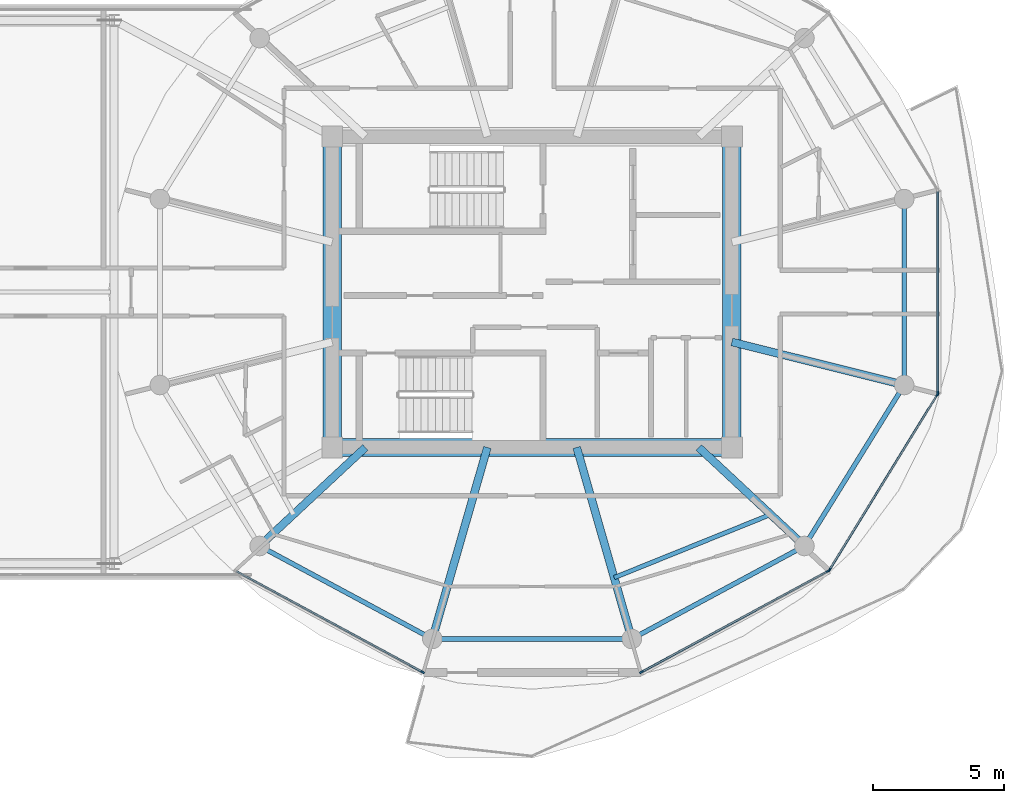
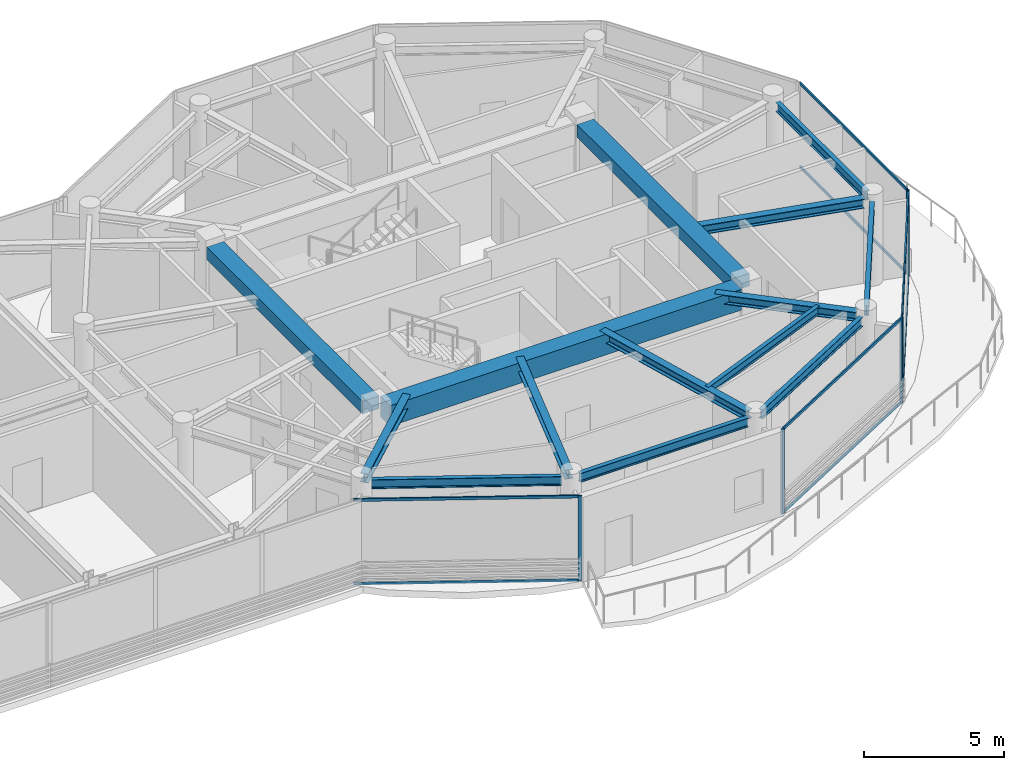
# One storey, part 9 of 24: 14 beams, 14 members, 4 elements without a shape of their own.
"""IFC4 building model written with IfcOpenShell, lengths in metres."""

import ifcopenshell
import ifcopenshell.guid

model = None  # the IFC model being written
_history = None  # IfcOwnerHistory: only IFC2X3 demands one
_inside = {}  # id of a spatial element -> (the spatial element, [elements in it])
_under = {}  # id of a project, library or spatial element -> (it, [spatial elements below it])
_declared = {}  # id of a project -> (the project, [libraries it declares])
_typed = {}  # id of a type object -> (the type object, [elements of that type])
_made_of = {}  # id of a material, layer set ... -> (it, [elements and type objects made of it])


def new_model(schema):
    """Start an empty IFC model of exactly this schema.

    Asked for "IFC4X3", IfcOpenShell would pick the latest addendum, in which some entities
    have other attributes; the version numbers below select the first issue.
    IFC2X3 requires an IfcOwnerHistory on every rooted entity: one is made here for all.
    """
    global model, _history
    if schema == "IFC4X3":
        model = ifcopenshell.file(schema_version=(4, 3, 0, 0))
    else:
        model = ifcopenshell.file(schema=schema)
    _inside.clear()
    _under.clear()
    _declared.clear()
    _typed.clear()
    _made_of.clear()
    _history = None
    if model.schema == "IFC2X3":
        org = make("IfcOrganization", Name="unknown")
        user = make(
            "IfcPersonAndOrganization",
            ThePerson=make("IfcPerson", FamilyName="unknown"),
            TheOrganization=org,
        )
        app = make(
            "IfcApplication",
            ApplicationDeveloper=org,
            Version="unknown",
            ApplicationFullName="unknown",
            ApplicationIdentifier="unknown",
        )
        _history = make(
            "IfcOwnerHistory",
            OwningUser=user,
            OwningApplication=app,
            ChangeAction="ADDED",
            CreationDate=0,
        )
    return model


def make(cls, **values):
    """One entity of the class cls with the attributes given. An attribute that is None is left unset."""
    return model.create_entity(
        cls, **{name: value for name, value in values.items() if value is not None}
    )


def rooted(cls, **values):
    """An entity with a GlobalId (a new one), such as an element, a storey or a relation."""
    return make(cls, GlobalId=ifcopenshell.guid.new(), OwnerHistory=_history, **values)


def si_unit(unit_type, name, prefix=None):
    """IfcSIUnit, for example si_unit("LENGTHUNIT", "METRE", prefix="MILLI")."""
    return make("IfcSIUnit", UnitType=unit_type, Prefix=prefix, Name=name)


def assignment(units):
    """IfcUnitAssignment: the units of a project."""
    return None if units is None else make("IfcUnitAssignment", Units=units)


def point(xyz):
    """IfcCartesianPoint."""
    return None if xyz is None else make("IfcCartesianPoint", Coordinates=xyz)


def direction(xyz):
    """IfcDirection."""
    return None if xyz is None else make("IfcDirection", DirectionRatios=xyz)


def frame(location, z_axis=None, x_axis=None):
    """IfcAxis2Placement3D, a coordinate frame: its origin and axes. An axis left out is left unset."""
    return make(
        "IfcAxis2Placement3D",
        Location=point(location),
        Axis=direction(z_axis),
        RefDirection=direction(x_axis),
    )


def frame_2d(location, x_axis=None):
    """IfcAxis2Placement2D, a coordinate frame in the plane: its origin and x axis."""
    return make(
        "IfcAxis2Placement2D", Location=point(location), RefDirection=direction(x_axis)
    )


def origin():
    """The frame at (0, 0, 0) with its axes left unset."""
    return frame((0.0, 0.0, 0.0))


def origin_2d():
    """The frame at (0, 0) in the plane with its x axis left unset."""
    return frame_2d((0.0, 0.0))


def place(relative_to, where):
    """IfcLocalPlacement: puts the frame where relative to a parent placement (None: the world)."""
    return make(
        "IfcLocalPlacement", PlacementRelTo=relative_to, RelativePlacement=where
    )


def context(
    kind, dimensions, precision=None, world=None, true_north=None, identifier=None
):
    """IfcGeometricRepresentationContext, for example the 3D "Model" context."""
    return make(
        "IfcGeometricRepresentationContext",
        ContextIdentifier=identifier,
        ContextType=kind,
        CoordinateSpaceDimension=dimensions,
        Precision=precision,
        WorldCoordinateSystem=world,
        TrueNorth=true_north,
    )


def subcontext(parent, identifier, kind, view, scale=None):
    """IfcGeometricRepresentationSubContext, for example "Body" below "Model"."""
    return make(
        "IfcGeometricRepresentationSubContext",
        ContextIdentifier=identifier,
        ContextType=kind,
        ParentContext=parent,
        TargetScale=scale,
        TargetView=view,
    )


def project(units=None, contexts=None):
    """IfcProject with its units and contexts."""
    return rooted(
        "IfcProject",
        Name="project",
        RepresentationContexts=contexts,
        UnitsInContext=assignment(units),
    )


def spatial(cls, under=None, at=None, **own):
    """A site, building, storey or space (cls), placed at a placement, below another one or the project."""
    s = rooted(cls, ObjectPlacement=at, **own)
    if under is not None:
        _under.setdefault(under.id(), (under, []))[1].append(s)
    return s


def profile(cls, at=None, kind="AREA", **sizes):
    """A parametric profile (cls). Its sizes go by their IFC names, for example OverallWidth=200.0."""
    return make(cls, ProfileType=kind, Position=at, **sizes)


def rectangle(**sizes):
    """IfcRectangleProfileDef."""
    return profile("IfcRectangleProfileDef", **sizes)


def i_section(**sizes):
    """IfcIShapeProfileDef."""
    return profile("IfcIShapeProfileDef", **sizes)


def extrude(swept, where, along, depth):
    """IfcExtrudedAreaSolid: the profile swept, set in the frame where, extruded along a direction by depth."""
    return make(
        "IfcExtrudedAreaSolid",
        SweptArea=swept,
        Position=where,
        ExtrudedDirection=direction(along),
        Depth=depth,
    )


def shape(context_of_items, identifier, shape_type, items):
    """IfcShapeRepresentation: the items that make up one representation, for example the "Body"."""
    return make(
        "IfcShapeRepresentation",
        ContextOfItems=context_of_items,
        RepresentationIdentifier=identifier,
        RepresentationType=shape_type,
        Items=items,
    )


def source(mapping_origin, context_of_items, identifier, shape_type, items):
    """IfcRepresentationMap: a shape defined once, which mapped items show again and again."""
    return make(
        "IfcRepresentationMap",
        MappingOrigin=mapping_origin,
        MappedRepresentation=shape(context_of_items, identifier, shape_type, items),
    )


def transform(
    local_origin,
    x_axis=None,
    y_axis=None,
    z_axis=None,
    scale=None,
    scale2=None,
    scale3=None,
    uniform=True,
):
    """IfcCartesianTransformationOperator3D, or its non-uniform kind. x_axis, y_axis, z_axis: its Axis1, 2, 3."""
    if uniform:
        return make(
            "IfcCartesianTransformationOperator3D",
            Axis1=direction(x_axis),
            Axis2=direction(y_axis),
            LocalOrigin=point(local_origin),
            Scale=scale,
            Axis3=direction(z_axis),
        )
    return make(
        "IfcCartesianTransformationOperator3DnonUniform",
        Axis1=direction(x_axis),
        Axis2=direction(y_axis),
        LocalOrigin=point(local_origin),
        Scale=scale,
        Axis3=direction(z_axis),
        Scale2=scale2,
        Scale3=scale3,
    )


def mapped(mapping_source, mapping_target):
    """IfcMappedItem: shows the shape of a source again, moved by a transform."""
    return make(
        "IfcMappedItem", MappingSource=mapping_source, MappingTarget=mapping_target
    )


def material(Name=None, Category=None):
    """IfcMaterial."""
    return make("IfcMaterial", Name=Name, Category=Category)


def layer(
    of_material, thickness, ventilated=None, Name=None, Category=None, Priority=None
):
    """IfcMaterialLayer: one layer of a wall or slab, of a material (None: an air gap)."""
    return make(
        "IfcMaterialLayer",
        Material=of_material,
        LayerThickness=thickness,
        IsVentilated=ventilated,
        Name=Name,
        Category=Category,
        Priority=Priority,
    )


def layer_set(layers, Name=None):
    """IfcMaterialLayerSet."""
    return make("IfcMaterialLayerSet", MaterialLayers=layers, LayerSetName=Name)


def material_profile(
    of_material, cross_section, Name=None, Category=None, Priority=None
):
    """IfcMaterialProfile: a cross section and its material."""
    return make(
        "IfcMaterialProfile",
        Name=Name,
        Material=of_material,
        Profile=cross_section,
        Priority=Priority,
        Category=Category,
    )


def profile_set(profiles, Name=None, composite=None):
    """IfcMaterialProfileSet."""
    return make(
        "IfcMaterialProfileSet",
        Name=Name,
        MaterialProfiles=profiles,
        CompositeProfile=composite,
    )


def made_of(thing, what):
    """Note that an element or type object is made of a material, layer set ...; save() writes the relation."""
    if what is not None:
        _made_of.setdefault(what.id(), (what, []))[1].append(thing)
    return thing


def type_object(cls, material=None, **own):
    """A type object (cls), such as IfcWallType, which elements share."""
    return made_of(rooted(cls, **own), material)


def type_shapes(of_type, sources):
    """Give a type object the sources (RepresentationMaps) that its elements show as mapped items."""
    of_type.RepresentationMaps = sources


def element(
    cls,
    number,
    at=None,
    inside=None,
    cuts=None,
    type_object=None,
    material=None,
    context=None,
    identifier="Body",
    shape_type=None,
    held_by="IfcProductDefinitionShape",
    body=None,
    shapes=None,
    **own,
):
    """One element of the class cls, such as IfcWall. Its Tag is "e" and its number.

    at: its placement. inside: the storey or other place that contains it. cuts: it is an
    opening in that element (IfcRelVoidsElement). A single representation is given by context,
    identifier, shape_type and body (its items); several are given by shapes. held_by: the class
    of the entity that holds the representations. save() writes the other relations.
    """
    e = rooted(cls, Tag="e%d" % number, ObjectPlacement=at, **own)
    if body is not None:
        shapes = [shape(context, identifier, shape_type, body)]
    if shapes is not None:
        e.Representation = make(held_by, Representations=shapes)
    if inside is not None:
        _inside.setdefault(inside.id(), (inside, []))[1].append(e)
    if cuts is not None:
        rooted(
            "IfcRelVoidsElement", RelatingBuildingElement=cuts, RelatedOpeningElement=e
        )
    if type_object is not None:
        _typed.setdefault(type_object.id(), (type_object, []))[1].append(e)
    return made_of(e, material)


def aggregate(whole, parts):
    """IfcRelAggregates: a whole, such as a stair, and the parts it consists of."""
    return rooted("IfcRelAggregates", RelatingObject=whole, RelatedObjects=parts)


def save(model, path):
    """Write the relations noted so far, then the file.

    IfcRelAggregates (storeys below a building ...), IfcRelContainedInSpatialStructure (elements
    in a storey), IfcRelDefinesByType, IfcRelAssociatesMaterial and IfcRelDeclares: one each for
    every whole, place, type object, material and project.
    """
    for whole, parts in _under.values():
        aggregate(whole, parts)
    for where, things in _inside.values():
        rooted(
            "IfcRelContainedInSpatialStructure",
            RelatedElements=things,
            RelatingStructure=where,
        )
    for kind, things in _typed.values():
        rooted("IfcRelDefinesByType", RelatedObjects=things, RelatingType=kind)
    for what, things in _made_of.values():
        rooted("IfcRelAssociatesMaterial", RelatedObjects=things, RelatingMaterial=what)
    for by, libraries in _declared.values():
        rooted("IfcRelDeclares", RelatingContext=by, RelatedDefinitions=libraries)
    model.write(path)


model = new_model("IFC4")

# Units and contexts
model_context = context("Model", 3, precision=1e-05, world=origin(), true_north=direction((0.0, 1.0)))
body_context = subcontext(model_context, "Body", "Model", "MODEL_VIEW")
ifc_project = project(units=[si_unit("LENGTHUNIT", "METRE"), si_unit("AREAUNIT", "SQUARE_METRE"), si_unit("VOLUMEUNIT", "CUBIC_METRE"), si_unit("PLANEANGLEUNIT", "RADIAN"), si_unit("MASSUNIT", "GRAM", prefix="KILO")], contexts=[model_context])

# Site, building, storey
site_placement = place(None, origin())
site = spatial("IfcSite", under=ifc_project, at=site_placement, CompositionType="ELEMENT")
building_placement = place(site_placement, origin())
building = spatial("IfcBuilding", under=site, at=building_placement, Name="Norrkilde Senior Care Towers", CompositionType="ELEMENT")
storey_placement = place(building_placement, frame((0.0, 0.0, 203.800048828125)))
storey = spatial("IfcBuildingStorey", under=building, at=storey_placement, Name="L63", CompositionType="ELEMENT", Elevation=203.800048828125)

# Beams
ifc_material_1 = material(Name="Concrete C60/75", Category="concrete")
ifc_material_profile_1 = material_profile(ifc_material_1, rectangle(XDim=0.699951171875, YDim=0.89990234375, at=origin_2d()), Name="RC BM 700x900")
ifc_profile_set_1 = profile_set([ifc_material_profile_1], Name="Concrete C60/75")
beam_type_1 = type_object("IfcBeamType", Name="Core Coupling Girder 700x900", PredefinedType="USERDEFINED", material=ifc_profile_set_1)
shared_shape_1 = source(origin(), body_context, "Body", "SweptSolid", [
    extrude(rectangle(XDim=0.699951171875, YDim=0.89990234375, at=origin_2d()), origin(), (0.0, 0.0, 1.0), 14.5400390625),
])
type_shapes(beam_type_1, [shared_shape_1])
beam_1_placement = place(storey_placement, frame((20.72998046875, -5.949951171875, 3.260009765625), z_axis=(1.0, 0.0, 0.0), x_axis=(0.0, 1.0, 0.0)))
element("IfcBeam", 1, at=beam_1_placement, inside=storey, type_object=beam_type_1, Name="L63 Core E S Coupling Girder", ObjectType="GIRDER", PredefinedType="USERDEFINED", context=body_context, shape_type="MappedRepresentation", body=[
    mapped(shared_shape_1, transform((0.0, 0.0, 0.0), x_axis=(1.0, 0.0, 0.0), y_axis=(0.0, 1.0, 0.0), z_axis=(0.0, 0.0, 1.0), scale=1.0)),
])
ifc_material_profile_2 = material_profile(ifc_material_1, rectangle(XDim=0.699951171875, YDim=0.550048828125, at=origin_2d()), Name="RC BM 700x550")
ifc_profile_set_2 = profile_set([ifc_material_profile_2], Name="Concrete C60/75")
beam_type_2 = type_object("IfcBeamType", Name="Core Portal Coupling Beam 700x550", PredefinedType="USERDEFINED", material=ifc_profile_set_2)
shared_shape_2 = source(origin(), body_context, "Body", "SweptSolid", [
    extrude(rectangle(XDim=0.699951171875, YDim=0.550048828125, at=origin_2d()), origin(), (0.0, 0.0, 1.0), 11.14013671875),
])
type_shapes(beam_type_2, [shared_shape_2])
for number, where, z_axis, x_axis, name in (
    (2, (20.35009765625, -5.570068359375, 3.43505859375), (0.0, 1.0, 0.0), (-1.0, 0.0, 0.0), "L63 Core E W Coupling Girder"),
    (3, (35.64990234375, -5.570068359375, 3.43505859375), (0.0, 1.0, 0.0), (-1.0, 0.0, 0.0), "L63 Core E E Coupling Girder"),
):
    element("IfcBeam", number, at=place(storey_placement, frame(where, z_axis=z_axis, x_axis=x_axis)), inside=storey, type_object=beam_type_2, Name=name, ObjectType="GIRDER", PredefinedType="USERDEFINED", context=body_context, shape_type="MappedRepresentation", body=[
        mapped(shared_shape_2, transform((0.0, 0.0, 0.0), x_axis=(1.0, 0.0, 0.0), y_axis=(0.0, 1.0, 0.0), z_axis=(0.0, 0.0, 1.0), scale=1.0)),
    ])
ifc_material_2 = material(Name="Steel S355", Category="steel")
ifc_material_profile_3 = material_profile(ifc_material_2, i_section(OverallWidth=0.179931640625, OverallDepth=0.39990234375, WebThickness=0.008544921875, FlangeThickness=0.013427734375, FilletRadius=0.02099609375, at=origin_2d()), Name="IPE 400")
ifc_profile_set_3 = profile_set([ifc_material_profile_3], Name="Steel S355")
beam_type_3 = type_object("IfcBeamType", Name="Perimeter Ring Spandrel Z4 IPE400", PredefinedType="SPANDREL", material=ifc_profile_set_3)
shared_shape_3 = source(origin(), body_context, "Body", "SweptSolid", [
    extrude(i_section(OverallWidth=0.179931640625, OverallDepth=0.39990234375, WebThickness=0.008544921875, FlangeThickness=0.013427734375, FilletRadius=0.02099609375, at=origin_2d()), origin(), (0.0, 0.0, 1.0), 6.58056640625),
])
beam_2_placement = place(storey_placement, frame((38.606201171875, -9.43798828125, 3.510009765625), z_axis=(0.526529583789, 0.850156807533, 0.0), x_axis=(-0.850156807533, 0.526529583789, 0.0)))
element("IfcBeam", 4, at=beam_2_placement, inside=storey, type_object=beam_type_3, Name="L63 Drum E Perimeter Spandrel 11", PredefinedType="SPANDREL", context=body_context, shape_type="MappedRepresentation", body=[
    mapped(shared_shape_3, transform((0.0, 0.0, 0.0), x_axis=(1.0, 0.0, 0.0), y_axis=(0.0, 1.0, 0.0), z_axis=(0.0, 0.0, 1.0), scale=1.0)),
])
ifc_material_profile_4 = material_profile(ifc_material_2, i_section(OverallWidth=0.300048828125, OverallDepth=0.39990234375, WebThickness=0.013427734375, FlangeThickness=0.02392578125, FilletRadius=0.027099609375, at=origin_2d()), Name="HEB 400")
ifc_profile_set_4 = profile_set([ifc_material_profile_4], Name="Steel S355")
beam_type_4 = type_object("IfcBeamType", Name="Radial Floor Beam Z4 HEB400", PredefinedType="BEAM", material=ifc_profile_set_4)
shared_shape_4 = source(origin(), body_context, "Body", "SweptSolid", [
    extrude(i_section(OverallWidth=0.300048828125, OverallDepth=0.39990234375, WebThickness=0.013427734375, FlangeThickness=0.02392578125, FilletRadius=0.027099609375, at=origin_2d()), origin(), (0.0, 0.0, 1.0), 6.465087890625),
])
beam_3_placement = place(storey_placement, frame((35.64990234375, -1.910888671875, 3.510009765625), z_axis=(0.970195788563, -0.242322371758, 0.0), x_axis=(0.242322371758, 0.970195788563, 0.0)))
element("IfcBeam", 5, at=beam_3_placement, inside=storey, type_object=beam_type_4, Name="L63 Drum E Radial Floor Beam 12", PredefinedType="BEAM", context=body_context, shape_type="MappedRepresentation", body=[
    mapped(shared_shape_4, transform((0.0, 0.0, 0.0), x_axis=(1.0, 0.0, 0.0), y_axis=(0.0, 1.0, 0.0), z_axis=(0.0, 0.0, 1.0), scale=1.0)),
])
shared_shape_5 = source(origin(), body_context, "Body", "SweptSolid", [
    extrude(i_section(OverallWidth=0.179931640625, OverallDepth=0.39990234375, WebThickness=0.008544921875, FlangeThickness=0.013427734375, FilletRadius=0.02099609375, at=origin_2d()), origin(), (0.0, 0.0, 1.0), 6.839111328125),
])
for number, where, z_axis, x_axis, name in (
    (6, (17.865234375, -9.881591796875, 3.510009765625), (0.880563930732, -0.473927382511, 0.0), (0.473927382511, 0.880563930732, 0.0), "L63 Drum E Perimeter Spandrel 08"),
    (7, (32.112548828125, -13.122802734375, 3.510009765625), (0.880563930732, 0.473927382511, 0.0), (-0.473927382511, 0.880563930732, 0.0), "L63 Drum E Perimeter Spandrel 10"),
):
    element("IfcBeam", number, at=place(storey_placement, frame(where, z_axis=z_axis, x_axis=x_axis)), inside=storey, type_object=beam_type_3, Name=name, PredefinedType="SPANDREL", context=body_context, shape_type="MappedRepresentation", body=[
        mapped(shared_shape_5, transform((0.0, 0.0, 0.0), x_axis=(1.0, 0.0, 0.0), y_axis=(0.0, 1.0, 0.0), z_axis=(0.0, 0.0, 1.0), scale=1.0)),
    ])
shared_shape_6 = source(origin(), body_context, "Body", "SweptSolid", [
    extrude(i_section(OverallWidth=0.300048828125, OverallDepth=0.39990234375, WebThickness=0.013427734375, FlangeThickness=0.02392578125, FilletRadius=0.027099609375, at=origin_2d()), origin(), (0.0, 0.0, 1.0), 5.197998046875),
])
for number, where, z_axis, x_axis, name in (
    (8, (21.6171875, -5.949951171875, 3.510009765625), (-0.731448749334, -0.681896419625, 0.0), (0.681896419625, -0.731448749334, 0.0), "L63 Drum E Radial Floor Beam 08"),
    (9, (34.3828125, -5.949951171875, 3.510009765625), (0.731448749334, -0.681896419625, 0.0), (0.681896419625, 0.731448749334, 0.0), "L63 Drum E Radial Floor Beam 11"),
):
    element("IfcBeam", number, at=place(storey_placement, frame(where, z_axis=z_axis, x_axis=x_axis)), inside=storey, type_object=beam_type_4, Name=name, PredefinedType="BEAM", context=body_context, shape_type="MappedRepresentation", body=[
        mapped(shared_shape_6, transform((0.0, 0.0, 0.0), x_axis=(1.0, 0.0, 0.0), y_axis=(0.0, 1.0, 0.0), z_axis=(0.0, 0.0, 1.0), scale=1.0)),
    ])
shared_shape_7 = source(origin(), body_context, "Body", "SweptSolid", [
    extrude(i_section(OverallWidth=0.179931640625, OverallDepth=0.39990234375, WebThickness=0.008544921875, FlangeThickness=0.013427734375, FilletRadius=0.02099609375, at=origin_2d()), origin(), (0.0, 0.0, 1.0), 6.96533203125),
])
beam_4_placement = place(storey_placement, frame((24.517333984375, -13.281494140625, 3.510009765625), z_axis=(1.0, 0.0, 0.0), x_axis=(0.0, 1.0, 0.0)))
element("IfcBeam", 10, at=beam_4_placement, inside=storey, type_object=beam_type_3, Name="L63 Drum E Perimeter Spandrel 09", PredefinedType="SPANDREL", context=body_context, shape_type="MappedRepresentation", body=[
    mapped(shared_shape_7, transform((0.0, 0.0, 0.0), x_axis=(1.0, 0.0, 0.0), y_axis=(0.0, 1.0, 0.0), z_axis=(0.0, 0.0, 1.0), scale=1.0)),
])
shared_shape_8 = source(origin(), body_context, "Body", "SweptSolid", [
    extrude(i_section(OverallWidth=0.300048828125, OverallDepth=0.39990234375, WebThickness=0.013427734375, FlangeThickness=0.02392578125, FilletRadius=0.027099609375, at=origin_2d()), origin(), (0.0, 0.0, 1.0), 7.29345703125),
])
type_shapes(beam_type_4, [shared_shape_4, shared_shape_6, shared_shape_8])
for number, where, z_axis, x_axis, name in (
    (11, (26.289794921875, -5.949951171875, 3.510009765625), (-0.276263751906, -0.961081858836, 0.0), (0.961081858836, -0.276263751906, 0.0), "L63 Drum E Radial Floor Beam 09"),
    (12, (29.710205078125, -5.949951171875, 3.510009765625), (0.276263751906, -0.961081858836, 0.0), (0.961081858836, 0.276263751906, 0.0), "L63 Drum E Radial Floor Beam 10"),
):
    element("IfcBeam", number, at=place(storey_placement, frame(where, z_axis=z_axis, x_axis=x_axis)), inside=storey, type_object=beam_type_4, Name=name, PredefinedType="BEAM", context=body_context, shape_type="MappedRepresentation", body=[
        mapped(shared_shape_8, transform((0.0, 0.0, 0.0), x_axis=(1.0, 0.0, 0.0), y_axis=(0.0, 1.0, 0.0), z_axis=(0.0, 0.0, 1.0), scale=1.0)),
    ])
shared_shape_9 = source(origin(), body_context, "Body", "SweptSolid", [
    extrude(i_section(OverallWidth=0.179931640625, OverallDepth=0.39990234375, WebThickness=0.008544921875, FlangeThickness=0.013427734375, FilletRadius=0.02099609375, at=origin_2d()), origin(), (0.0, 0.0, 1.0), 6.44775390625),
])
type_shapes(beam_type_3, [shared_shape_3, shared_shape_5, shared_shape_7, shared_shape_9])
beam_5_placement = place(storey_placement, frame((42.247314453125, -3.223876953125, 3.510009765625), z_axis=(0.0, 1.0, 0.0), x_axis=(-1.0, 0.0, 0.0)))
element("IfcBeam", 13, at=beam_5_placement, inside=storey, type_object=beam_type_3, Name="L63 Drum E Perimeter Spandrel 12", PredefinedType="SPANDREL", context=body_context, shape_type="MappedRepresentation", body=[
    mapped(shared_shape_9, transform((0.0, 0.0, 0.0), x_axis=(1.0, 0.0, 0.0), y_axis=(0.0, 1.0, 0.0), z_axis=(0.0, 0.0, 1.0), scale=1.0)),
])
ifc_material_profile_5 = material_profile(ifc_material_2, i_section(OverallWidth=0.169921875, OverallDepth=0.360107421875, WebThickness=0.008056640625, FlangeThickness=0.0126953125, FilletRadius=0.01806640625, at=origin_2d()), Name="IPE 360")
ifc_profile_set_5 = profile_set([ifc_material_profile_5], Name="Steel S355")
beam_type_5 = type_object("IfcBeamType", Name="Secondary Floor Joist IPE360", PredefinedType="JOIST", material=ifc_profile_set_5)
shared_shape_10 = source(origin(), body_context, "Body", "SweptSolid", [
    extrude(i_section(OverallWidth=0.169921875, OverallDepth=0.360107421875, WebThickness=0.008056640625, FlangeThickness=0.0126953125, FilletRadius=0.01806640625, at=origin_2d()), origin(), (0.0, 0.0, 1.0), 6.461669921875),
])
type_shapes(beam_type_5, [shared_shape_10])
beam_6_placement = place(storey_placement, frame((31.143310546875, -10.935302734375, 3.530029296875), z_axis=(0.927225942298, 0.374502405772, 0.0), x_axis=(-0.374502405772, 0.927225942298, 0.0)))
element("IfcBeam", 14, at=beam_6_placement, inside=storey, type_object=beam_type_5, Name="L63 Drum E Secondary Floor Joist 4", PredefinedType="JOIST", context=body_context, shape_type="MappedRepresentation", body=[
    mapped(shared_shape_10, transform((0.0, 0.0, 0.0), x_axis=(1.0, 0.0, 0.0), y_axis=(0.0, 1.0, 0.0), z_axis=(0.0, 0.0, 1.0), scale=1.0)),
])

# Curtain wall, members
ifc_material_3 = material(Name="Triple Low-E Insulated Glazing", Category="glass")
ifc_layer = layer(ifc_material_3, 0.18505859375)
ifc_layer_set = layer_set([ifc_layer], Name="Triple Low-E Insulated Glazing")
curtain_wall_type = type_object("IfcCurtainWallType", Name="CW6 Zone 4 Crown Pavilion Curtain Wall", PredefinedType="NOTDEFINED", material=ifc_layer_set)
curtain_wall_1_placement = place(storey_placement, origin())
curtain_wall_1 = element("IfcCurtainWall", 15, at=curtain_wall_1_placement, inside=storey, type_object=curtain_wall_type, Name="L63 Drum E Curtain Wall 10", PredefinedType="NOTDEFINED")
ifc_material_4 = material(Name="Anodised Aluminium", Category="aluminium")
ifc_material_profile_6 = material_profile(ifc_material_4, rectangle(XDim=0.06005859375, YDim=0.1201171875, at=origin_2d()), Name="ALU TRAN 60x120")
ifc_profile_set_6 = profile_set([ifc_material_profile_6], Name="Anodised Aluminium")
member_type_1 = type_object("IfcMemberType", Name="Curtain Wall Transom Typical 60x120", PredefinedType="USERDEFINED", material=ifc_profile_set_6)
shared_shape_11 = source(origin(), body_context, "Body", "SweptSolid", [
    extrude(rectangle(XDim=0.06005859375, YDim=0.1201171875, at=origin_2d()), origin(), (0.0, 0.0, 1.0), 7.808837890625),
])
member_1_placement = place(storey_placement, frame((43.498046875, -3.958251953125, 0.030029296875), z_axis=(-0.524250924101, -0.851563837055, 0.0), x_axis=(0.851563837055, -0.524250924101, 0.0)))
member_1 = element("IfcMember", 16, at=member_1_placement, type_object=member_type_1, Name="CW-6 transom 1.1", ObjectType="TRANSOM", PredefinedType="USERDEFINED", context=body_context, shape_type="MappedRepresentation", body=[
    mapped(shared_shape_11, transform((0.0, 0.0, 0.0), x_axis=(1.0, 0.0, 0.0), y_axis=(0.0, 1.0, 0.0), z_axis=(0.0, 0.0, 1.0), scale=1.0)),
])
member_2_placement = place(storey_placement, frame((43.498046875, -3.958251953125, 3.679931640625), z_axis=(-0.524250924101, -0.851563837055, 0.0), x_axis=(0.851563837055, -0.524250924101, 0.0)))
member_2 = element("IfcMember", 17, at=member_2_placement, type_object=member_type_1, Name="CW-6 transom 1.2", ObjectType="TRANSOM", PredefinedType="USERDEFINED", context=body_context, shape_type="MappedRepresentation", body=[
    mapped(shared_shape_11, transform((0.0, 0.0, 0.0), x_axis=(1.0, 0.0, 0.0), y_axis=(0.0, 1.0, 0.0), z_axis=(0.0, 0.0, 1.0), scale=1.0)),
])

curtain_wall_2_placement = place(storey_placement, origin())
curtain_wall_2 = element("IfcCurtainWall", 18, at=curtain_wall_2_placement, inside=storey, type_object=curtain_wall_type, Name="L63 Drum E Curtain Wall 07", PredefinedType="NOTDEFINED")
shared_shape_12 = source(origin(), body_context, "Body", "SweptSolid", [
    extrude(rectangle(XDim=0.06005859375, YDim=0.1201171875, at=origin_2d()), origin(), (0.0, 0.0, 1.0), 8.0673828125),
])
member_3_placement = place(storey_placement, frame((23.781005859375, -14.53515625, 0.030029296875), z_axis=(-0.87937750072, 0.476125205411, 0.0), x_axis=(-0.476125205411, -0.87937750072, 0.0)))
member_3 = element("IfcMember", 19, at=member_3_placement, type_object=member_type_1, Name="CW-6 transom 1.1", ObjectType="TRANSOM", PredefinedType="USERDEFINED", context=body_context, shape_type="MappedRepresentation", body=[
    mapped(shared_shape_12, transform((0.0, 0.0, 0.0), x_axis=(1.0, 0.0, 0.0), y_axis=(0.0, 1.0, 0.0), z_axis=(0.0, 0.0, 1.0), scale=1.0)),
])
member_4_placement = place(storey_placement, frame((23.781005859375, -14.53515625, 3.679931640625), z_axis=(-0.87937750072, 0.476125205411, 0.0), x_axis=(-0.476125205411, -0.87937750072, 0.0)))
member_4 = element("IfcMember", 20, at=member_4_placement, type_object=member_type_1, Name="CW-6 transom 1.2", ObjectType="TRANSOM", PredefinedType="USERDEFINED", context=body_context, shape_type="MappedRepresentation", body=[
    mapped(shared_shape_12, transform((0.0, 0.0, 0.0), x_axis=(1.0, 0.0, 0.0), y_axis=(0.0, 1.0, 0.0), z_axis=(0.0, 0.0, 1.0), scale=1.0)),
])

curtain_wall_3_placement = place(storey_placement, origin())
curtain_wall_3 = element("IfcCurtainWall", 21, at=curtain_wall_3_placement, inside=storey, type_object=curtain_wall_type, Name="L63 Drum E Curtain Wall 09", PredefinedType="NOTDEFINED")
member_5_placement = place(storey_placement, frame((39.313232421875, -10.694091796875, 0.030029296875), z_axis=(-0.87937750072, -0.476125205411, 0.0), x_axis=(0.476125205411, -0.87937750072, 0.0)))
member_5 = element("IfcMember", 22, at=member_5_placement, type_object=member_type_1, Name="CW-6 transom 1.1", ObjectType="TRANSOM", PredefinedType="USERDEFINED", context=body_context, shape_type="MappedRepresentation", body=[
    mapped(shared_shape_12, transform((0.0, 0.0, 0.0), x_axis=(1.0, 0.0, 0.0), y_axis=(0.0, 1.0, 0.0), z_axis=(0.0, 0.0, 1.0), scale=1.0)),
])
member_6_placement = place(storey_placement, frame((39.313232421875, -10.694091796875, 3.679931640625), z_axis=(-0.87937750072, -0.476125205411, 0.0), x_axis=(0.476125205411, -0.87937750072, 0.0)))
member_6 = element("IfcMember", 23, at=member_6_placement, type_object=member_type_1, Name="CW-6 transom 1.2", ObjectType="TRANSOM", PredefinedType="USERDEFINED", context=body_context, shape_type="MappedRepresentation", body=[
    mapped(shared_shape_12, transform((0.0, 0.0, 0.0), x_axis=(1.0, 0.0, 0.0), y_axis=(0.0, 1.0, 0.0), z_axis=(0.0, 0.0, 1.0), scale=1.0)),
])

curtain_wall_4_placement = place(storey_placement, origin())
curtain_wall_4 = element("IfcCurtainWall", 24, at=curtain_wall_4_placement, inside=storey, type_object=curtain_wall_type, Name="L63 Drum E Curtain Wall 11", PredefinedType="NOTDEFINED")
shared_shape_13 = source(origin(), body_context, "Body", "SweptSolid", [
    extrude(rectangle(XDim=0.06005859375, YDim=0.1201171875, at=origin_2d()), origin(), (0.0, 0.0, 1.0), 7.67578125),
])
type_shapes(member_type_1, [shared_shape_11, shared_shape_12, shared_shape_13])
member_7_placement = place(storey_placement, frame((43.531982421875, 3.837890625, 0.030029296875), z_axis=(0.0, -1.0, 0.0), x_axis=(1.0, 0.0, 0.0)))
member_7 = element("IfcMember", 25, at=member_7_placement, type_object=member_type_1, Name="CW-6 transom 1.1", ObjectType="TRANSOM", PredefinedType="USERDEFINED", context=body_context, shape_type="MappedRepresentation", body=[
    mapped(shared_shape_13, transform((0.0, 0.0, 0.0), x_axis=(1.0, 0.0, 0.0), y_axis=(0.0, 1.0, 0.0), z_axis=(0.0, 0.0, 1.0), scale=1.0)),
])
member_8_placement = place(storey_placement, frame((43.531982421875, 3.837890625, 3.679931640625), z_axis=(0.0, -1.0, 0.0), x_axis=(1.0, 0.0, 0.0)))
member_8 = element("IfcMember", 26, at=member_8_placement, type_object=member_type_1, Name="CW-6 transom 1.2", ObjectType="TRANSOM", PredefinedType="USERDEFINED", context=body_context, shape_type="MappedRepresentation", body=[
    mapped(shared_shape_13, transform((0.0, 0.0, 0.0), x_axis=(1.0, 0.0, 0.0), y_axis=(0.0, 1.0, 0.0), z_axis=(0.0, 0.0, 1.0), scale=1.0)),
])

# Member
ifc_material_profile_7 = material_profile(ifc_material_4, rectangle(XDim=0.06494140625, YDim=0.14990234375, at=origin_2d()), Name="ALU MULL 65x150")
ifc_profile_set_7 = profile_set([ifc_material_profile_7], Name="Anodised Aluminium")
member_type_2 = type_object("IfcMemberType", Name="Curtain Wall Mullion Z3-Z4 65x150", PredefinedType="MULLION", material=ifc_profile_set_7)
shared_shape_14 = source(origin(), body_context, "Body", "SweptSolid", [
    extrude(rectangle(XDim=0.06494140625, YDim=0.14990234375, at=origin_2d()), origin(), (0.0, 0.0, 1.0), 3.7099609375),
])
type_shapes(member_type_2, [shared_shape_14])
member_9_placement = place(storey_placement, frame((23.8095703125, -14.55078125, 0.0), z_axis=(0.0, 0.0, 1.0), x_axis=(-0.476132676136, -0.879373455772, 0.0)))
member_9 = element("IfcMember", 27, at=member_9_placement, type_object=member_type_2, Name="CW-6 mullion 1", PredefinedType="MULLION", context=body_context, shape_type="MappedRepresentation", body=[
    mapped(shared_shape_14, transform((0.0, 0.0, 0.0), x_axis=(1.0, 0.0, 0.0), y_axis=(0.0, 1.0, 0.0), z_axis=(0.0, 0.0, 1.0), scale=1.0)),
])

aggregate(curtain_wall_2, [member_9, member_3, member_4])

member_10_placement = place(storey_placement, frame((39.341796875, -10.6787109375, 0.0), z_axis=(0.0, 0.0, 1.0), x_axis=(0.476132676136, -0.879373455772, 0.0)))
member_10 = element("IfcMember", 28, at=member_10_placement, type_object=member_type_2, Name="CW-6 mullion 1", PredefinedType="MULLION", context=body_context, shape_type="MappedRepresentation", body=[
    mapped(shared_shape_14, transform((0.0, 0.0, 0.0), x_axis=(1.0, 0.0, 0.0), y_axis=(0.0, 1.0, 0.0), z_axis=(0.0, 0.0, 1.0), scale=1.0)),
])

member_11_placement = place(storey_placement, frame((32.1904296875, -14.55078125, 0.0), z_axis=(0.0, 0.0, 1.0), x_axis=(0.476132676136, -0.879373455772, 0.0)))
member_11 = element("IfcMember", 29, at=member_11_placement, type_object=member_type_2, Name="CW-6 mullion 2", PredefinedType="MULLION", context=body_context, shape_type="MappedRepresentation", body=[
    mapped(shared_shape_14, transform((0.0, 0.0, 0.0), x_axis=(1.0, 0.0, 0.0), y_axis=(0.0, 1.0, 0.0), z_axis=(0.0, 0.0, 1.0), scale=1.0)),
])

aggregate(curtain_wall_3, [member_10, member_11, member_5, member_6])

member_12_placement = place(storey_placement, frame((43.51513671875, -3.9306640625, 0.0), z_axis=(0.0, 0.0, 1.0), x_axis=(0.851562727283, -0.524252726748, 0.0)))
member_12 = element("IfcMember", 30, at=member_12_placement, type_object=member_type_2, Name="CW-6 mullion 1", PredefinedType="MULLION", context=body_context, shape_type="MappedRepresentation", body=[
    mapped(shared_shape_14, transform((0.0, 0.0, 0.0), x_axis=(1.0, 0.0, 0.0), y_axis=(0.0, 1.0, 0.0), z_axis=(0.0, 0.0, 1.0), scale=1.0)),
])

member_13_placement = place(storey_placement, frame((39.38720703125, -10.635498046875, 0.0), z_axis=(0.0, 0.0, 1.0), x_axis=(0.851562727283, -0.524252726748, 0.0)))
member_13 = element("IfcMember", 31, at=member_13_placement, type_object=member_type_2, Name="CW-6 mullion 2", PredefinedType="MULLION", context=body_context, shape_type="MappedRepresentation", body=[
    mapped(shared_shape_14, transform((0.0, 0.0, 0.0), x_axis=(1.0, 0.0, 0.0), y_axis=(0.0, 1.0, 0.0), z_axis=(0.0, 0.0, 1.0), scale=1.0)),
])

aggregate(curtain_wall_1, [member_12, member_13, member_1, member_2])

member_14_placement = place(storey_placement, frame((43.531982421875, -3.87060546875, 0.0), z_axis=(0.0, 0.0, 1.0), x_axis=(1.0, 0.0, 0.0)))
member_14 = element("IfcMember", 32, at=member_14_placement, type_object=member_type_2, Name="CW-6 mullion 2", PredefinedType="MULLION", context=body_context, shape_type="MappedRepresentation", body=[
    mapped(shared_shape_14, transform((0.0, 0.0, 0.0), x_axis=(1.0, 0.0, 0.0), y_axis=(0.0, 1.0, 0.0), z_axis=(0.0, 0.0, 1.0), scale=1.0)),
])

aggregate(curtain_wall_4, [member_14, member_7, member_8])

save(model, "model.ifc")
